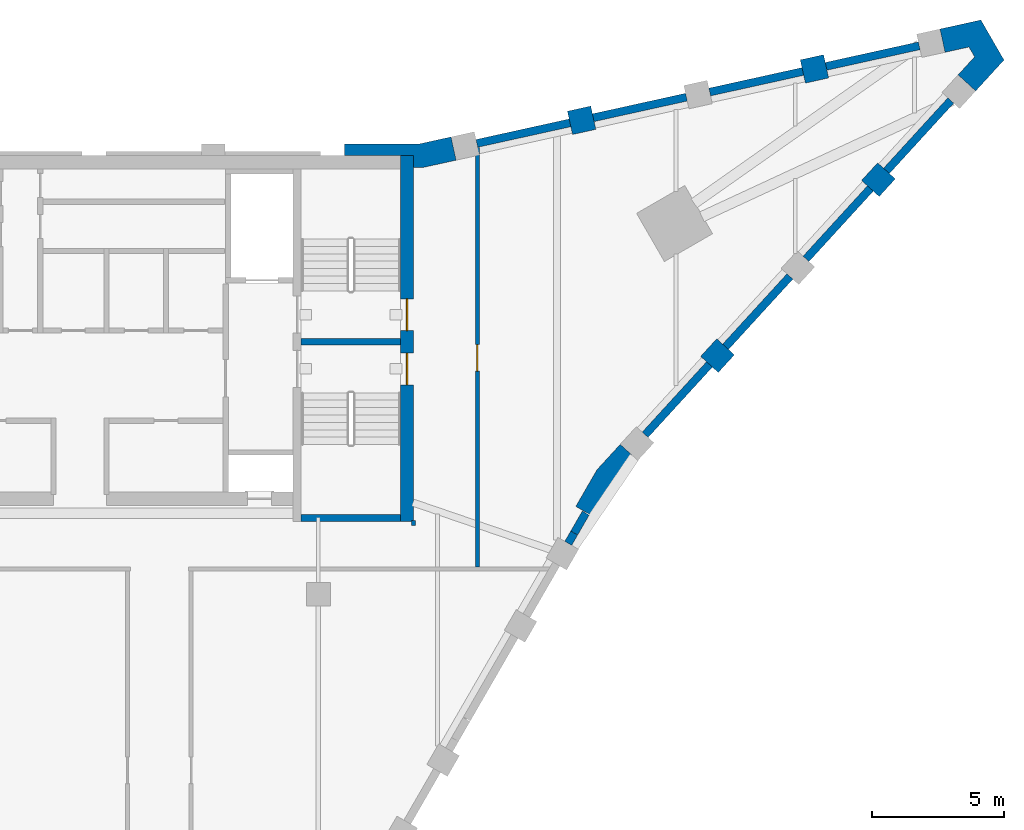
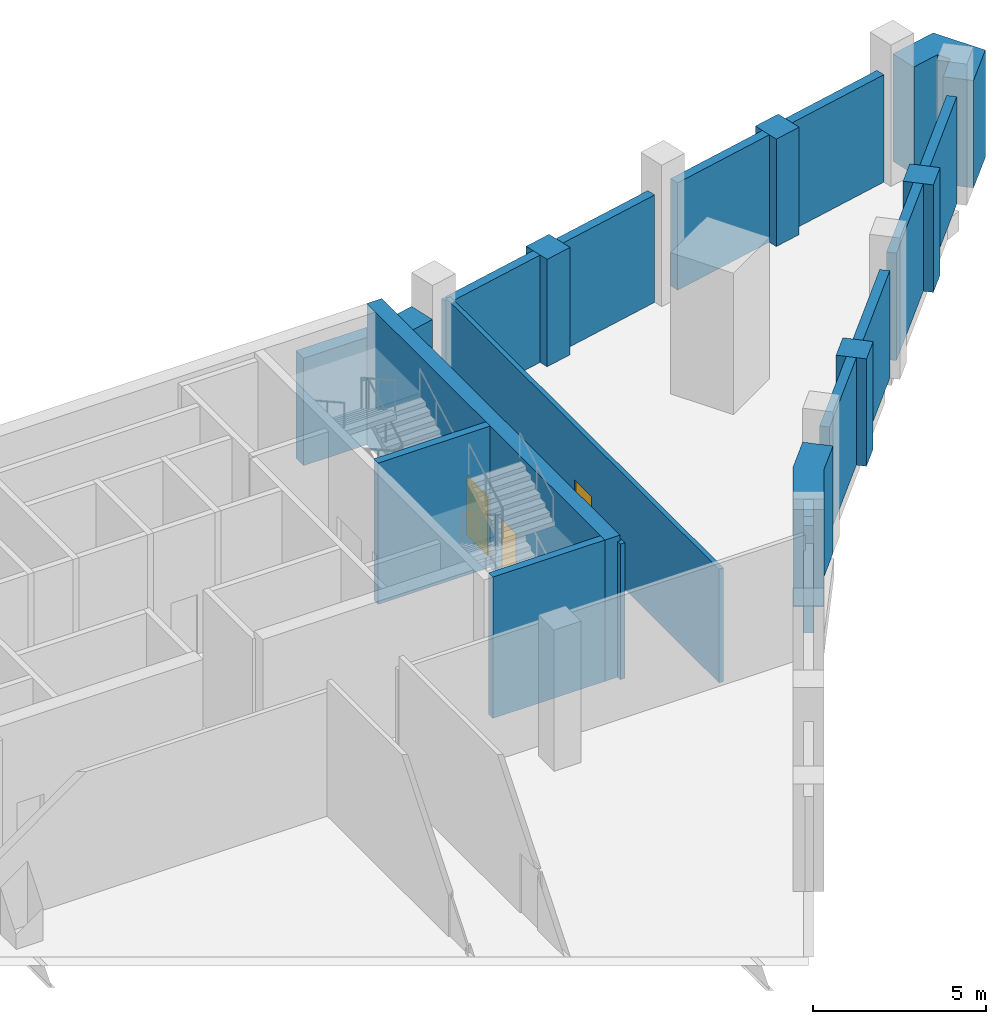
# One storey, part 6 of 9: 22 walls, 3 doors, 3 openings.
"""IFC4 building model written with IfcOpenShell, lengths in metres."""

from ifc_helpers import new_model, si_unit, direction, frame, frame_2d, origin, place, context, subcontext, project, spatial, polyline, rectangle, outline, extrude, material, layer, layer_set, type_object, element, fill, save


model = new_model("IFC4")

# Units and contexts
model_context = context("Model", 3, precision=1e-05, world=origin(), true_north=direction((0.0, 1.0)))
body_context = subcontext(model_context, "Body", "Model", "MODEL_VIEW")
ifc_project = project(units=[si_unit("LENGTHUNIT", "METRE"), si_unit("AREAUNIT", "SQUARE_METRE"), si_unit("VOLUMEUNIT", "CUBIC_METRE"), si_unit("PLANEANGLEUNIT", "RADIAN"), si_unit("MASSUNIT", "GRAM", prefix="KILO")], contexts=[model_context])

# Site, building, storey
site_placement = place(None, origin())
site = spatial("IfcSite", under=ifc_project, at=site_placement, CompositionType="ELEMENT")
building_placement = place(site_placement, origin())
building = spatial("IfcBuilding", under=site, at=building_placement, Name="Calabash Gate Tower", CompositionType="ELEMENT")
storey_placement = place(building_placement, frame((0.0, 0.0, 320.5)))
storey = spatial("IfcBuildingStorey", under=building, at=storey_placement, Name="L75", CompositionType="ELEMENT", Elevation=320.5)

# Walls
ifc_material_1 = material(Name="Terracotta brick masonry, exposed face", Category="masonry")
ifc_layer_1 = layer(ifc_material_1, 0.89990234375)
ifc_layer_set_1 = layer_set([ifc_layer_1], Name="Brick end wall 900")
wall_type_1 = type_object("IfcWallType", Name="Brick end wall 900", PredefinedType="SOLIDWALL", material=ifc_layer_set_1)
wall_1_placement = place(storey_placement, frame((23.763671875, 11.17333984375, 0.0), z_axis=(0.0, 0.0, 1.0), x_axis=(0.674802966049, 0.737997938352, 0.0)))
element("IfcWall", 1, at=wall_1_placement, inside=storey, type_object=wall_type_1, Name="Brick pier L75 crown3.1", PredefinedType="SOLIDWALL", context=body_context, shape_type="SweptSolid", body=[
    extrude(rectangle(XDim=0.900146484375, YDim=0.89990234375, at=frame_2d((0.4501953125, 0.0))), origin(), (0.0, 0.0, 1.0), 3.800048828125),
])
wall_2_placement = place(storey_placement, frame((30.44482421875, 18.47900390625, 0.0), z_axis=(0.0, 0.0, 1.0), x_axis=(-0.674938051731, -0.737874397391, 0.0)))
element("IfcWall", 2, at=wall_2_placement, inside=storey, type_object=wall_type_1, Name="Brick pier L75 crown3.3", PredefinedType="SOLIDWALL", context=body_context, shape_type="SweptSolid", body=[
    extrude(rectangle(XDim=0.89990234375, YDim=0.89990234375, at=frame_2d((0.449951171875, 0.0))), origin(), (0.0, 0.0, 1.0), 3.800048828125),
])
for number, where, z_axis, x_axis, name in (
    (3, (28.16650390625, 22.42529296875, 0.0), (0.0, 0.0, 1.0), (-0.976473402733, -0.215637876437, 0.0), "Brick pier L75 crown5.1"),
    (4, (18.4990234375, 20.2919921875, 0.0), (0.0, 0.0, 1.0), (0.976473402733, 0.215637876437, 0.0), "Brick pier L75 crown5.3"),
):
    element("IfcWall", number, at=place(storey_placement, frame(where, z_axis=z_axis, x_axis=x_axis)), inside=storey, type_object=wall_type_1, Name=name, PredefinedType="SOLIDWALL", context=body_context, shape_type="SweptSolid", body=[
        extrude(rectangle(XDim=0.900146484375, YDim=0.89990234375, at=frame_2d((0.4501953125, 0.0))), origin(), (0.0, 0.0, 1.0), 3.800048828125),
    ])
wall_3_placement = place(storey_placement, origin())
element("IfcWall", 5, at=wall_3_placement, inside=storey, type_object=wall_type_1, Name="Brick end wall L75 3", PredefinedType="SOLIDWALL", context=body_context, shape_type="SweptSolid", body=[
    extrude(outline(polyline([(18.717529296875, 5.81201171875), (19.496826171875, 5.362060546875), (20.24658203125, 6.66064453125), (21.058837890625, 7.548828125), (20.394775390625, 8.15625), (19.516357421875, 7.19580078125), (18.717529296875, 5.81201171875)])), origin(), (0.0, 0.0, 1.0), 3.800048828125),
])
wall_4_placement = place(storey_placement, origin())
element("IfcWall", 6, at=wall_4_placement, inside=storey, type_object=wall_type_1, Name="Brick end wall L75 4", PredefinedType="SOLIDWALL", context=body_context, shape_type="SweptSolid", body=[
    extrude(outline(polyline([(33.813720703125, 21.496337890625), (34.881591796875, 22.663818359375), (34.0087890625, 24.175048828125), (32.4638671875, 23.834228515625), (32.65771484375, 22.955322265625), (33.55908203125, 23.154296875), (33.7724609375, 22.78466796875), (33.149658203125, 22.103759765625), (33.813720703125, 21.496337890625)])), origin(), (0.0, 0.0, 1.0), 3.800048828125),
])
wall_5_placement = place(storey_placement, origin())
element("IfcWall", 7, at=wall_5_placement, inside=storey, type_object=wall_type_1, Name="Brick end wall L75 5", PredefinedType="SOLIDWALL", context=body_context, shape_type="SweptSolid", body=[
    extrude(outline(polyline([(14.007568359375, 19.761474609375), (12.83251953125, 19.50244140625), (9.984375, 19.50244140625), (9.984375, 19.052490234375), (12.60009765625, 19.052490234375), (12.60009765625, 18.6025390625), (12.930419921875, 18.6025390625), (14.201416015625, 18.883056640625), (14.007568359375, 19.761474609375)])), origin(), (0.0, 0.0, 1.0), 3.800048828125),
])
ifc_material_2 = material(Name="Concrete C60/75", Category="concrete")
ifc_layer_2 = layer(ifc_material_2, 0.25)
ifc_layer_set_2 = layer_set([ifc_layer_2], Name="Core wall 250 Concrete C60/75")
wall_type_2 = type_object("IfcWallType", Name="Core wall 250 Concrete C60/75", PredefinedType="SHEAR", material=ifc_layer_set_2)
for number, where, z_axis, x_axis, name in (
    (8, (8.35009765625, 12.027587890625, 0.0), (0.0, 0.0, 1.0), (1.0, 0.0, 0.0), "Core wall C-MIDE L75"),
    (9, (8.35009765625, 5.377685546875, 0.0), (0.0, 0.0, 1.0), (1.0, 0.0, 0.0), "Core wall C-SSE L75"),
):
    element("IfcWall", number, at=place(storey_placement, frame(where, z_axis=z_axis, x_axis=x_axis)), inside=storey, type_object=wall_type_2, Name=name, PredefinedType="SHEAR", context=body_context, shape_type="SweptSolid", body=[
        extrude(rectangle(XDim=3.75, YDim=0.25, at=frame_2d((1.875, 0.0))), origin(), (0.0, 0.0, 1.0), 5.0),
    ])

# Wall, openings, doors
ifc_material_3 = material(Name="Concrete C60/75", Category="concrete")
ifc_layer_3 = layer(ifc_material_3, 0.5)
ifc_layer_set_3 = layer_set([ifc_layer_3], Name="Core wall 500 Concrete C60/75")
wall_type_3 = type_object("IfcWallType", Name="Core wall 500 Concrete C60/75", PredefinedType="SHEAR", material=ifc_layer_set_3)
wall_6_placement = place(storey_placement, frame((12.35009765625, 5.252685546875, 0.0), z_axis=(0.0, 0.0, 1.0), x_axis=(0.0, 1.0, 0.0)))
wall_6 = element("IfcWall", 10, at=wall_6_placement, inside=storey, type_object=wall_type_3, Name="Core wall C-COLE L75", PredefinedType="SHEAR", context=body_context, shape_type="SweptSolid", body=[
    extrude(rectangle(XDim=13.7998046875, YDim=0.5, at=frame_2d((6.89990234375, 0.0))), origin(), (0.0, 0.0, 1.0), 5.0),
])
opening_1_placement = place(wall_6_placement, frame((7.199951171875, 0.0, 0.0)))
opening_1 = element("IfcOpeningElement", 11, at=opening_1_placement, cuts=wall_6, Name="Opening L75-007", PredefinedType="OPENING", context=body_context, shape_type="SweptSolid", body=[
    extrude(rectangle(XDim=1.199951171875, YDim=2.10009765625, at=frame_2d((0.60009765625, 1.050048828125))), frame((0.0, 0.260009765625, 0.0), z_axis=(0.0, -1.0, 0.0), x_axis=(1.0, 0.0, 0.0)), (0.0, 0.0, 1.0), 0.52001953125),
])
opening_2_placement = place(wall_6_placement, frame((5.14990234375, 0.0, 0.0)))
opening_2 = element("IfcOpeningElement", 12, at=opening_2_placement, cuts=wall_6, Name="Opening L75-008", PredefinedType="OPENING", context=body_context, shape_type="SweptSolid", body=[
    extrude(rectangle(XDim=1.199951171875, YDim=2.10009765625, at=frame_2d((0.60009765625, 1.050048828125))), frame((0.0, 0.260009765625, 0.0), z_axis=(0.0, -1.0, 0.0), x_axis=(1.0, 0.0, 0.0)), (0.0, 0.0, 1.0), 0.52001953125),
])
ifc_material_4 = material(Name="Steel fire door set with fire-resisting glazing", Category="steel")
door_type_1 = type_object("IfcDoorType", Name="Fire door D10 1200x2100 FD90", OperationType="NOTDEFINED", PredefinedType="DOOR", material=ifc_material_4)
door_1_placement = place(opening_1_placement, origin())
door_1 = element("IfcDoor", 13, at=door_1_placement, inside=storey, type_object=door_type_1, Name="Exit stair door ST3", OperationType="SINGLE_SWING_RIGHT", OverallHeight=2.10009765625, OverallWidth=1.199951171875, PredefinedType="DOOR", context=body_context, shape_type="SweptSolid", body=[
    extrude(rectangle(XDim=1.199951171875, YDim=2.10009765625, at=frame_2d((0.60009765625, 1.050048828125))), frame((0.0, 0.02490234375, 0.0), z_axis=(0.0, -1.0, 0.0), x_axis=(1.0, 0.0, 0.0)), (0.0, 0.0, 1.0), 0.050048828125),
])
fill(opening_1, door_1)
door_2_placement = place(opening_2_placement, origin())
door_2 = element("IfcDoor", 14, at=door_2_placement, inside=storey, type_object=door_type_1, Name="Exit stair door ST4", OperationType="SINGLE_SWING_LEFT", OverallHeight=2.10009765625, OverallWidth=1.199951171875, PredefinedType="DOOR", context=body_context, shape_type="SweptSolid", body=[
    extrude(rectangle(XDim=1.199951171875, YDim=2.10009765625, at=frame_2d((0.60009765625, 1.050048828125))), frame((0.0, 0.02490234375, 0.0), z_axis=(0.0, -1.0, 0.0), x_axis=(1.0, 0.0, 0.0)), (0.0, 0.0, 1.0), 0.050048828125),
])
fill(opening_2, door_2)

# Wall, opening, door
ifc_material_5 = material(Name="Gypsum board on steel studs, mineral wool", Category="steel")
ifc_layer_4 = layer(ifc_material_5, 0.14990234375)
ifc_layer_set_4 = layer_set([ifc_layer_4], Name="Partition 150 gypsum board")
wall_type_4 = type_object("IfcWallType", Name="Partition 150 gypsum board", PredefinedType="PARTITIONING", material=ifc_layer_set_4)
wall_7_placement = place(storey_placement, frame((15.0, 3.527587890625, 0.0), z_axis=(0.0, 0.0, 1.0), x_axis=(0.0, 1.0, 0.0)))
wall_7 = element("IfcWall", 15, at=wall_7_placement, inside=storey, type_object=wall_type_4, Name="Partition", PredefinedType="PARTITIONING", context=body_context, shape_type="SweptSolid", body=[
    extrude(rectangle(XDim=15.830322265625, YDim=0.14990234375, at=frame_2d((7.9150390625, 0.0))), origin(), (0.0, 0.0, 1.0), 4.02001953125),
])
opening_3_placement = place(wall_7_placement, frame((7.392333984375, 0.0, 0.0)))
opening_3 = element("IfcOpeningElement", 16, at=opening_3_placement, cuts=wall_7, Name="Opening L75-025", PredefinedType="OPENING", context=body_context, shape_type="SweptSolid", body=[
    extrude(rectangle(XDim=1.0, YDim=2.10009765625, at=frame_2d((0.5, 1.050048828125))), frame((0.0, 0.0849609375, 0.0), z_axis=(0.0, -1.0, 0.0), x_axis=(1.0, 0.0, 0.0)), (0.0, 0.0, 1.0), 0.169921875),
])
ifc_material_6 = material(Name="Steel fire door set with fire-resisting glazing", Category="steel")
door_type_2 = type_object("IfcDoorType", Name="Fire door D11 1000x2100 FD60", OperationType="NOTDEFINED", PredefinedType="DOOR", material=ifc_material_6)
door_3_placement = place(opening_3_placement, origin())
door_3 = element("IfcDoor", 17, at=door_3_placement, inside=storey, type_object=door_type_2, Name="Water Tank Room door", OperationType="SINGLE_SWING_LEFT", OverallHeight=2.10009765625, OverallWidth=1.0, PredefinedType="DOOR", context=body_context, shape_type="SweptSolid", body=[
    extrude(rectangle(XDim=1.0, YDim=2.10009765625, at=frame_2d((0.5, 1.050048828125))), frame((0.0, 0.02490234375, 0.0), z_axis=(0.0, -1.0, 0.0), x_axis=(1.0, 0.0, 0.0)), (0.0, 0.0, 1.0), 0.050048828125),
])
fill(opening_3, door_3)

# Walls
wall_8_placement = place(storey_placement, frame((12.60009765625, 5.09765625, 0.0), z_axis=(0.0, 0.0, 1.0), x_axis=(0.0, 1.0, 0.0)))
element("IfcWall", 18, at=wall_8_placement, inside=storey, type_object=wall_type_4, Name="Partition", PredefinedType="PARTITIONING", context=body_context, shape_type="SweptSolid", body=[
    extrude(rectangle(XDim=0.179931640625, YDim=0.14990234375, at=frame_2d((0.08984375, 0.0))), origin(), (0.0, 0.0, 1.0), 4.800048828125),
])
ifc_material_7 = material(Name="Terracotta louvre blades in an aluminium frame", Category="masonry")
ifc_layer_5 = layer(ifc_material_7, 0.300048828125)
ifc_layer_set_5 = layer_set([ifc_layer_5], Name="Terracotta louvre wall 300")
wall_type_5 = type_object("IfcWallType", Name="Terracotta louvre wall 300", PredefinedType="ELEMENTEDWALL", material=ifc_layer_set_5)
wall_9_placement = place(storey_placement, origin())
element("IfcWall", 19, at=wall_9_placement, inside=storey, type_object=wall_type_5, Name="LOUVRE L75 crown2.4b", PredefinedType="ELEMENTEDWALL", context=body_context, shape_type="SweptSolid", body=[
    extrude(outline(polyline([(18.52734375, 4.882568359375), (18.30322265625, 4.49462890625), (18.56298828125, 4.3447265625), (18.787109375, 4.732666015625), (18.52734375, 4.882568359375)])), origin(), (0.0, 0.0, 1.0), 3.800048828125),
])
wall_10_placement = place(storey_placement, origin())
element("IfcWall", 20, at=wall_10_placement, inside=storey, type_object=wall_type_5, Name="LOUVRE L75 crown3.1", PredefinedType="ELEMENTEDWALL", context=body_context, shape_type="SweptSolid", body=[
    extrude(outline(polyline([(23.653076171875, 11.274658203125), (21.224853515625, 8.619384765625), (21.4462890625, 8.4169921875), (23.874267578125, 11.072265625), (23.653076171875, 11.274658203125)])), origin(), (0.0, 0.0, 1.0), 3.800048828125),
])
wall_11_placement = place(storey_placement, frame((24.37109375, 11.837646484375, 0.0), z_axis=(0.0, 0.0, 1.0), x_axis=(0.674867348758, 0.737939063595, 0.0)))
element("IfcWall", 21, at=wall_11_placement, inside=storey, type_object=wall_type_5, Name="LOUVRE L75 crown3.2", PredefinedType="ELEMENTEDWALL", context=body_context, shape_type="SweptSolid", body=[
    extrude(rectangle(XDim=3.599853515625, YDim=0.300048828125, at=frame_2d((1.7998046875, 0.0))), origin(), (0.0, 0.0, 1.0), 3.800048828125),
])
for number, where, z_axis, x_axis, name in (
    (22, (27.407958984375, 15.158203125, 0.0), (0.0, 0.0, 1.0), (0.674833575111, 0.737969949187, 0.0), "LOUVRE L75 crown3.3"),
    (23, (30.44482421875, 18.47900390625, 0.0), (0.0, 0.0, 1.0), (0.674833575111, 0.737969949187, 0.0), "LOUVRE L75 crown3.4"),
):
    element("IfcWall", number, at=place(storey_placement, frame(where, z_axis=z_axis, x_axis=x_axis)), inside=storey, type_object=wall_type_5, Name=name, PredefinedType="ELEMENTEDWALL", context=body_context, shape_type="SweptSolid", body=[
        extrude(rectangle(XDim=3.60009765625, YDim=0.300048828125, at=frame_2d((1.800048828125, 0.0))), origin(), (0.0, 0.0, 1.0), 3.800048828125),
    ])
wall_12_placement = place(storey_placement, frame((31.681884765625, 23.200927734375, 0.0), z_axis=(0.0, 0.0, 1.0), x_axis=(-0.976513072969, -0.215458159096, 0.0)))
element("IfcWall", 24, at=wall_12_placement, inside=storey, type_object=wall_type_5, Name="LOUVRE L75 crown5.1", PredefinedType="ELEMENTEDWALL", context=body_context, shape_type="SweptSolid", body=[
    extrude(rectangle(XDim=3.599853515625, YDim=0.300048828125, at=frame_2d((1.7998046875, 0.0))), origin(), (0.0, 0.0, 1.0), 3.800048828125),
])
wall_13_placement = place(storey_placement, origin())
element("IfcWall", 25, at=wall_13_placement, inside=storey, type_object=wall_type_5, Name="LOUVRE L75 crown5.2", PredefinedType="ELEMENTEDWALL", context=body_context, shape_type="SweptSolid", body=[
    extrude(outline(polyline([(27.25537109375, 22.377685546875), (23.740234375, 21.60205078125), (23.804931640625, 21.30908203125), (27.31982421875, 22.084716796875), (27.25537109375, 22.377685546875)])), origin(), (0.0, 0.0, 1.0), 3.800048828125),
])
for number, where, z_axis, x_axis, name in (
    (26, (22.893310546875, 21.26171875, 0.0), (0.0, 0.0, 1.0), (-0.976513072969, -0.215458159096, 0.0), "LOUVRE L75 crown5.3"),
    (27, (18.4990234375, 20.2919921875, 0.0), (0.0, 0.0, 1.0), (-0.976513072969, -0.215458159096, 0.0), "LOUVRE L75 crown5.4"),
):
    element("IfcWall", number, at=place(storey_placement, frame(where, z_axis=z_axis, x_axis=x_axis)), inside=storey, type_object=wall_type_5, Name=name, PredefinedType="ELEMENTEDWALL", context=body_context, shape_type="SweptSolid", body=[
        extrude(rectangle(XDim=3.599853515625, YDim=0.300048828125, at=frame_2d((1.7998046875, 0.0))), origin(), (0.0, 0.0, 1.0), 3.800048828125),
    ])
wall_14_placement = place(storey_placement, frame((18.6591796875, 4.81103515625, 0.0), z_axis=(0.0, 0.0, 1.0), x_axis=(0.499893013529, 0.866087163642, 0.0)))
element("IfcWall", 28, at=wall_14_placement, inside=storey, type_object=wall_type_5, Name="LOUVRE L75 edge crown2.c9", PredefinedType="ELEMENTEDWALL", context=body_context, shape_type="SweptSolid", body=[
    extrude(rectangle(XDim=0.867431640625, YDim=0.300048828125, at=frame_2d((0.43359375, 0.0))), origin(), (0.0, 0.0, 1.0), 3.800048828125),
])

save(model, "model.ifc")
